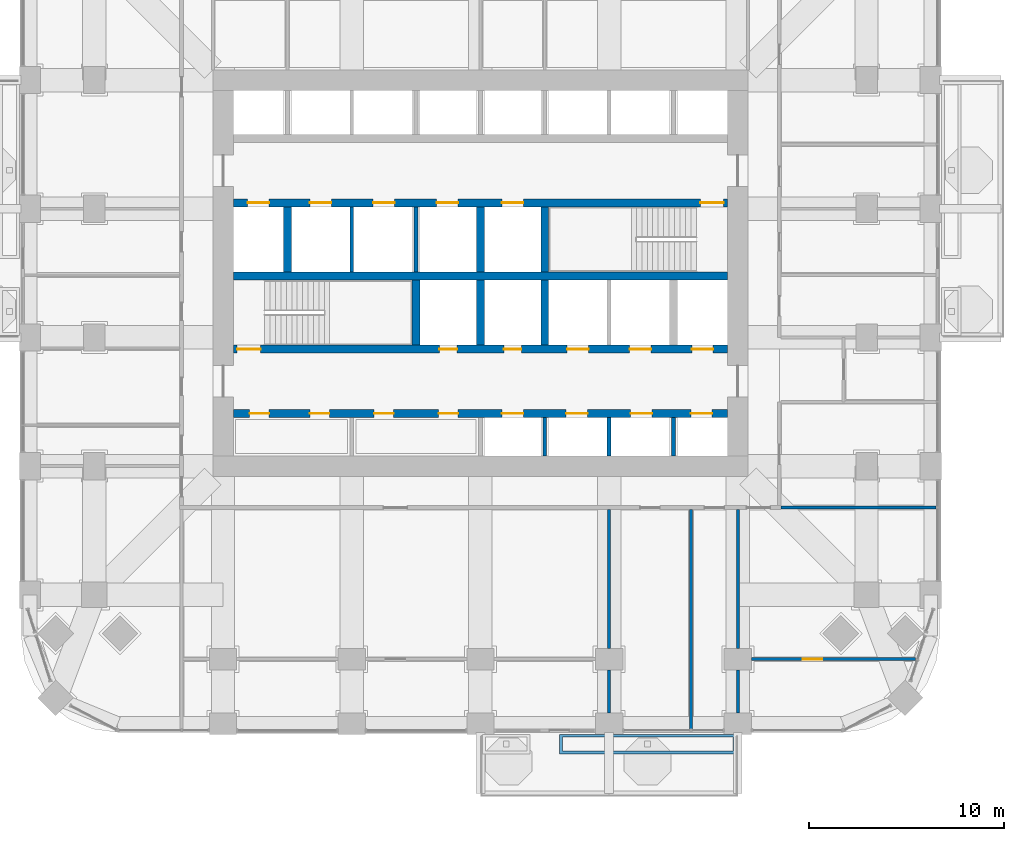
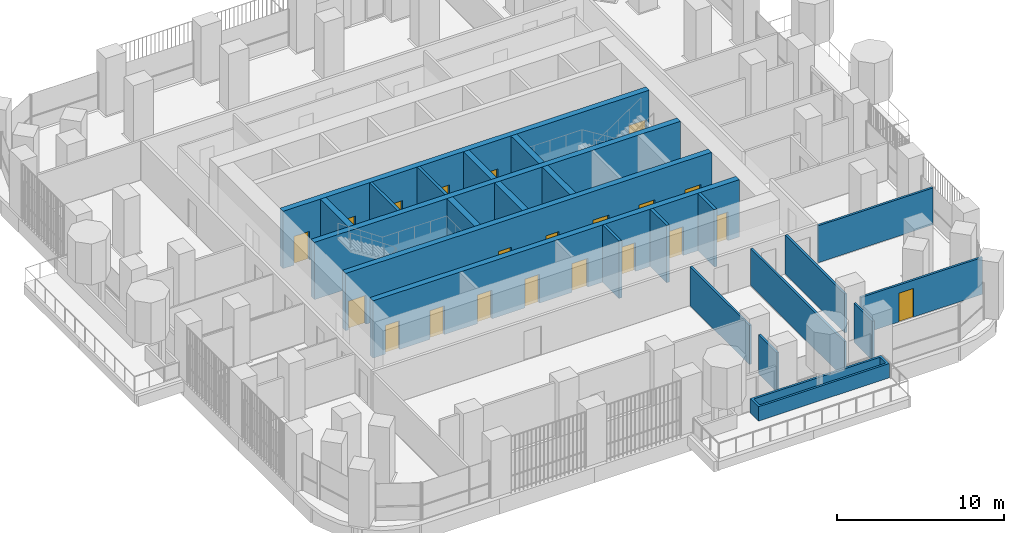
# One storey, part 15 of 22: 23 walls, 21 doors, 21 openings.
"""IFC4 building model written with IfcOpenShell, lengths in metres."""

from ifc_helpers import new_model, si_unit, direction, frame, frame_2d, origin, place, context, subcontext, project, spatial, polyline, rectangle, outline, extrude, material, layer, layer_set, type_object, element, fill, save


model = new_model("IFC4")

# Units and contexts
model_context = context("Model", 3, precision=1e-05, world=origin(), true_north=direction((0.0, 1.0)))
body_context = subcontext(model_context, "Body", "Model", "MODEL_VIEW")
ifc_project = project(units=[si_unit("LENGTHUNIT", "METRE"), si_unit("AREAUNIT", "SQUARE_METRE"), si_unit("VOLUMEUNIT", "CUBIC_METRE"), si_unit("PLANEANGLEUNIT", "RADIAN"), si_unit("MASSUNIT", "GRAM", prefix="KILO")], contexts=[model_context])

# Site, building, storey
site_placement = place(None, origin())
site = spatial("IfcSite", under=ifc_project, at=site_placement, CompositionType="ELEMENT")
building_placement = place(site_placement, origin())
building = spatial("IfcBuilding", under=site, at=building_placement, Name="Cobogo Forest Laboratory Tower", CompositionType="ELEMENT")
storey_placement = place(building_placement, frame((0.0, 0.0, 120.0)))
storey = spatial("IfcBuildingStorey", under=building, at=storey_placement, Name="L27", CompositionType="ELEMENT", Elevation=120.0)

# Wall, openings, doors
ifc_material_1 = material(Name="Concrete HA-50 (C50/60)", Category="concrete")
ifc_layer_1 = layer(ifc_material_1, 0.39990234375)
ifc_layer_set_1 = layer_set([ifc_layer_1], Name="CI400 core inner wall 400")
wall_type_1 = type_object("IfcWallType", Name="CI400 core inner wall 400", PredefinedType="SHEAR", material=ifc_layer_set_1)
wall_1_placement = place(storey_placement, frame((13.72509765625, 15.89990234375, 0.0), z_axis=(0.0, 0.0, 1.0), x_axis=(1.0, 0.0, 0.0)))
wall_1 = element("IfcWall", 1, at=wall_1_placement, inside=storey, type_object=wall_type_1, Name="Core wall CI-15.9 L27", PredefinedType="SHEAR", context=body_context, shape_type="SweptSolid", body=[
    extrude(rectangle(XDim=25.349853515625, YDim=0.39990234375, at=frame_2d((12.6748046875, 0.0))), origin(), (0.0, 0.0, 1.0), 4.199951171875),
])
opening_1_placement = place(wall_1_placement, frame((0.83740234375, 0.0, 0.0)))
opening_1 = element("IfcOpeningElement", 2, at=opening_1_placement, cuts=wall_1, Name="Opening L27-D11", PredefinedType="OPENING", context=body_context, shape_type="SweptSolid", body=[
    extrude(rectangle(XDim=1.0, YDim=2.10009765625, at=frame_2d((0.5, 1.050048828125))), frame((0.0, 0.2099609375, 0.0), z_axis=(0.0, -1.0, 0.0), x_axis=(1.0, 0.0, 0.0)), (0.0, 0.0, 1.0), 0.419921875),
])
opening_2_placement = place(wall_1_placement, frame((3.925048828125, 0.0, 0.0)))
opening_2 = element("IfcOpeningElement", 3, at=opening_2_placement, cuts=wall_1, Name="Opening L27-D12", PredefinedType="OPENING", context=body_context, shape_type="SweptSolid", body=[
    extrude(rectangle(XDim=1.0, YDim=2.10009765625, at=frame_2d((0.5, 1.050048828125))), frame((0.0, 0.2099609375, 0.0), z_axis=(0.0, -1.0, 0.0), x_axis=(1.0, 0.0, 0.0)), (0.0, 0.0, 1.0), 0.419921875),
])
opening_3_placement = place(wall_1_placement, frame((7.22509765625, 0.0, 0.0)))
opening_3 = element("IfcOpeningElement", 4, at=opening_3_placement, cuts=wall_1, Name="Opening L27-D13", PredefinedType="OPENING", context=body_context, shape_type="SweptSolid", body=[
    extrude(rectangle(XDim=1.0, YDim=2.10009765625, at=frame_2d((0.5, 1.050048828125))), frame((0.0, 0.2099609375, 0.0), z_axis=(0.0, -1.0, 0.0), x_axis=(1.0, 0.0, 0.0)), (0.0, 0.0, 1.0), 0.419921875),
])
opening_4_placement = place(wall_1_placement, frame((10.52490234375, 0.0, 0.0)))
opening_4 = element("IfcOpeningElement", 5, at=opening_4_placement, cuts=wall_1, Name="Opening L27-D14", PredefinedType="OPENING", context=body_context, shape_type="SweptSolid", body=[
    extrude(rectangle(XDim=1.0, YDim=2.10009765625, at=frame_2d((0.5, 1.050048828125))), frame((0.0, 0.2099609375, 0.0), z_axis=(0.0, -1.0, 0.0), x_axis=(1.0, 0.0, 0.0)), (0.0, 0.0, 1.0), 0.419921875),
])
opening_5_placement = place(wall_1_placement, frame((13.77490234375, 0.0, 0.0)))
opening_5 = element("IfcOpeningElement", 6, at=opening_5_placement, cuts=wall_1, Name="Opening L27-LD-LB1", PredefinedType="OPENING", context=body_context, shape_type="SweptSolid", body=[
    extrude(rectangle(XDim=1.10009765625, YDim=2.10009765625, at=frame_2d((0.550048828125, 1.050048828125))), frame((0.0, 0.2099609375, 0.0), z_axis=(0.0, -1.0, 0.0), x_axis=(1.0, 0.0, 0.0)), (0.0, 0.0, 1.0), 0.419921875),
])
opening_6_placement = place(wall_1_placement, frame((17.074951171875, 0.0, 0.0)))
opening_6 = element("IfcOpeningElement", 7, at=opening_6_placement, cuts=wall_1, Name="Opening L27-LD-LB2", PredefinedType="OPENING", context=body_context, shape_type="SweptSolid", body=[
    extrude(rectangle(XDim=1.10009765625, YDim=2.10009765625, at=frame_2d((0.550048828125, 1.050048828125))), frame((0.0, 0.2099609375, 0.0), z_axis=(0.0, -1.0, 0.0), x_axis=(1.0, 0.0, 0.0)), (0.0, 0.0, 1.0), 0.419921875),
])
opening_7_placement = place(wall_1_placement, frame((20.375, 0.0, 0.0)))
opening_7 = element("IfcOpeningElement", 8, at=opening_7_placement, cuts=wall_1, Name="Opening L27-LD-LB3", PredefinedType="OPENING", context=body_context, shape_type="SweptSolid", body=[
    extrude(rectangle(XDim=1.10009765625, YDim=2.10009765625, at=frame_2d((0.550048828125, 1.050048828125))), frame((0.0, 0.2099609375, 0.0), z_axis=(0.0, -1.0, 0.0), x_axis=(1.0, 0.0, 0.0)), (0.0, 0.0, 1.0), 0.419921875),
])
opening_8_placement = place(wall_1_placement, frame((23.46240234375, 0.0, 0.0)))
opening_8 = element("IfcOpeningElement", 9, at=opening_8_placement, cuts=wall_1, Name="Opening L27-LD-LB4", PredefinedType="OPENING", context=body_context, shape_type="SweptSolid", body=[
    extrude(rectangle(XDim=1.10009765625, YDim=2.10009765625, at=frame_2d((0.550048828125, 1.050048828125))), frame((0.0, 0.2099609375, 0.0), z_axis=(0.0, -1.0, 0.0), x_axis=(1.0, 0.0, 0.0)), (0.0, 0.0, 1.0), 0.419921875),
])
ifc_material_2 = material(Name="Steel fire door", Category="steel")
door_type_1 = type_object("IfcDoorType", Name="FD1 fire door 1000 EI2 60", OperationType="SINGLE_SWING_LEFT", PredefinedType="DOOR", material=ifc_material_2)
door_1_placement = place(opening_1_placement, origin())
door_1 = element("IfcDoor", 10, at=door_1_placement, inside=storey, type_object=door_type_1, Name="Door L27-SH-LA1", OperationType="SINGLE_SWING_LEFT", OverallHeight=2.10009765625, OverallWidth=1.0, PredefinedType="DOOR", context=body_context, shape_type="SweptSolid", body=[
    extrude(rectangle(XDim=1.0, YDim=2.10009765625, at=frame_2d((0.5, 1.050048828125))), frame((0.0, 0.02490234375, 0.0), z_axis=(0.0, -1.0, 0.0), x_axis=(1.0, 0.0, 0.0)), (0.0, 0.0, 1.0), 0.050048828125),
])
fill(opening_1, door_1)
door_2_placement = place(opening_2_placement, origin())
door_2 = element("IfcDoor", 11, at=door_2_placement, inside=storey, type_object=door_type_1, Name="Door L27-SH-LA2", OperationType="SINGLE_SWING_LEFT", OverallHeight=2.10009765625, OverallWidth=1.0, PredefinedType="DOOR", context=body_context, shape_type="SweptSolid", body=[
    extrude(rectangle(XDim=1.0, YDim=2.10009765625, at=frame_2d((0.5, 1.050048828125))), frame((0.0, 0.02490234375, 0.0), z_axis=(0.0, -1.0, 0.0), x_axis=(1.0, 0.0, 0.0)), (0.0, 0.0, 1.0), 0.050048828125),
])
fill(opening_2, door_2)
door_3_placement = place(opening_3_placement, origin())
door_3 = element("IfcDoor", 12, at=door_3_placement, inside=storey, type_object=door_type_1, Name="Door L27-SH-LA3", OperationType="SINGLE_SWING_LEFT", OverallHeight=2.10009765625, OverallWidth=1.0, PredefinedType="DOOR", context=body_context, shape_type="SweptSolid", body=[
    extrude(rectangle(XDim=1.0, YDim=2.10009765625, at=frame_2d((0.5, 1.050048828125))), frame((0.0, 0.02490234375, 0.0), z_axis=(0.0, -1.0, 0.0), x_axis=(1.0, 0.0, 0.0)), (0.0, 0.0, 1.0), 0.050048828125),
])
fill(opening_3, door_3)
door_4_placement = place(opening_4_placement, origin())
door_4 = element("IfcDoor", 13, at=door_4_placement, inside=storey, type_object=door_type_1, Name="Door L27-SH-LA4", OperationType="SINGLE_SWING_LEFT", OverallHeight=2.10009765625, OverallWidth=1.0, PredefinedType="DOOR", context=body_context, shape_type="SweptSolid", body=[
    extrude(rectangle(XDim=1.0, YDim=2.10009765625, at=frame_2d((0.5, 1.050048828125))), frame((0.0, 0.02490234375, 0.0), z_axis=(0.0, -1.0, 0.0), x_axis=(1.0, 0.0, 0.0)), (0.0, 0.0, 1.0), 0.050048828125),
])
fill(opening_4, door_4)
ifc_material_3 = material(Name="Stainless steel lift door", Category="steel")
door_type_2 = type_object("IfcDoorType", Name="LD lift landing door 1100", OperationType="DOUBLE_DOOR_SLIDING", PredefinedType="DOOR", material=ifc_material_3)
door_5_placement = place(opening_5_placement, origin())
door_5 = element("IfcDoor", 14, at=door_5_placement, inside=storey, type_object=door_type_2, Name="Lift landing door LB1 L27", OperationType="DOUBLE_DOOR_SLIDING", OverallHeight=2.10009765625, OverallWidth=1.10009765625, PredefinedType="DOOR", context=body_context, shape_type="SweptSolid", body=[
    extrude(rectangle(XDim=1.10009765625, YDim=2.10009765625, at=frame_2d((0.550048828125, 1.050048828125))), frame((0.0, 0.02490234375, 0.0), z_axis=(0.0, -1.0, 0.0), x_axis=(1.0, 0.0, 0.0)), (0.0, 0.0, 1.0), 0.050048828125),
])
fill(opening_5, door_5)
door_6_placement = place(opening_6_placement, origin())
door_6 = element("IfcDoor", 15, at=door_6_placement, inside=storey, type_object=door_type_2, Name="Lift landing door LB2 L27", OperationType="DOUBLE_DOOR_SLIDING", OverallHeight=2.10009765625, OverallWidth=1.10009765625, PredefinedType="DOOR", context=body_context, shape_type="SweptSolid", body=[
    extrude(rectangle(XDim=1.10009765625, YDim=2.10009765625, at=frame_2d((0.550048828125, 1.050048828125))), frame((0.0, 0.02490234375, 0.0), z_axis=(0.0, -1.0, 0.0), x_axis=(1.0, 0.0, 0.0)), (0.0, 0.0, 1.0), 0.050048828125),
])
fill(opening_6, door_6)
door_7_placement = place(opening_7_placement, origin())
door_7 = element("IfcDoor", 16, at=door_7_placement, inside=storey, type_object=door_type_2, Name="Lift landing door LB3 L27", OperationType="DOUBLE_DOOR_SLIDING", OverallHeight=2.10009765625, OverallWidth=1.10009765625, PredefinedType="DOOR", context=body_context, shape_type="SweptSolid", body=[
    extrude(rectangle(XDim=1.10009765625, YDim=2.10009765625, at=frame_2d((0.550048828125, 1.050048828125))), frame((0.0, 0.02490234375, 0.0), z_axis=(0.0, -1.0, 0.0), x_axis=(1.0, 0.0, 0.0)), (0.0, 0.0, 1.0), 0.050048828125),
])
fill(opening_7, door_7)
door_8_placement = place(opening_8_placement, origin())
door_8 = element("IfcDoor", 17, at=door_8_placement, inside=storey, type_object=door_type_2, Name="Lift landing door LB4 L27", OperationType="DOUBLE_DOOR_SLIDING", OverallHeight=2.10009765625, OverallWidth=1.10009765625, PredefinedType="DOOR", context=body_context, shape_type="SweptSolid", body=[
    extrude(rectangle(XDim=1.10009765625, YDim=2.10009765625, at=frame_2d((0.550048828125, 1.050048828125))), frame((0.0, 0.02490234375, 0.0), z_axis=(0.0, -1.0, 0.0), x_axis=(1.0, 0.0, 0.0)), (0.0, 0.0, 1.0), 0.050048828125),
])
fill(opening_8, door_8)

wall_2_placement = place(storey_placement, frame((13.72509765625, 19.199951171875, 0.0), z_axis=(0.0, 0.0, 1.0), x_axis=(1.0, 0.0, 0.0)))
wall_2 = element("IfcWall", 18, at=wall_2_placement, inside=storey, type_object=wall_type_1, Name="Core wall CI-19.2 L27", PredefinedType="SHEAR", context=body_context, shape_type="SweptSolid", body=[
    extrude(rectangle(XDim=25.349853515625, YDim=0.39990234375, at=frame_2d((12.6748046875, 0.0))), origin(), (0.0, 0.0, 1.0), 4.199951171875),
])
opening_9_placement = place(wall_2_placement, frame((10.574951171875, 0.0, 0.0)))
opening_9 = element("IfcOpeningElement", 19, at=opening_9_placement, cuts=wall_2, Name="Opening L27-D20", PredefinedType="OPENING", context=body_context, shape_type="SweptSolid", body=[
    extrude(rectangle(XDim=0.89990234375, YDim=2.10009765625, at=frame_2d((0.449951171875, 1.050048828125))), frame((0.0, 0.2099609375, 0.0), z_axis=(0.0, -1.0, 0.0), x_axis=(1.0, 0.0, 0.0)), (0.0, 0.0, 1.0), 0.419921875),
])
opening_10_placement = place(wall_2_placement, frame((13.875, 0.0, 0.0)))
opening_10 = element("IfcOpeningElement", 20, at=opening_10_placement, cuts=wall_2, Name="Opening L27-D21", PredefinedType="OPENING", context=body_context, shape_type="SweptSolid", body=[
    extrude(rectangle(XDim=0.89990234375, YDim=2.10009765625, at=frame_2d((0.449951171875, 1.050048828125))), frame((0.0, 0.2099609375, 0.0), z_axis=(0.0, -1.0, 0.0), x_axis=(1.0, 0.0, 0.0)), (0.0, 0.0, 1.0), 0.419921875),
])
opening_11_placement = place(wall_2_placement, frame((0.199951171875, 0.0, 0.0)))
opening_11 = element("IfcOpeningElement", 21, at=opening_11_placement, cuts=wall_2, Name="Opening L27-D19", PredefinedType="OPENING", context=body_context, shape_type="SweptSolid", body=[
    extrude(rectangle(XDim=1.199951171875, YDim=2.10009765625, at=frame_2d((0.60009765625, 1.050048828125))), frame((0.0, 0.2099609375, 0.0), z_axis=(0.0, -1.0, 0.0), x_axis=(1.0, 0.0, 0.0)), (0.0, 0.0, 1.0), 0.419921875),
])
opening_12_placement = place(wall_2_placement, frame((23.512451171875, 0.0, 0.0)))
opening_12 = element("IfcOpeningElement", 22, at=opening_12_placement, cuts=wall_2, Name="Opening L27-LD-FL2", PredefinedType="OPENING", context=body_context, shape_type="SweptSolid", body=[
    extrude(rectangle(XDim=1.10009765625, YDim=2.10009765625, at=frame_2d((0.550048828125, 1.050048828125))), frame((0.0, 0.2099609375, 0.0), z_axis=(0.0, -1.0, 0.0), x_axis=(1.0, 0.0, 0.0)), (0.0, 0.0, 1.0), 0.419921875),
])
opening_13_placement = place(wall_2_placement, frame((17.125, 0.0, 0.0)))
opening_13 = element("IfcOpeningElement", 23, at=opening_13_placement, cuts=wall_2, Name="Opening L27-LD-LS1", PredefinedType="OPENING", context=body_context, shape_type="SweptSolid", body=[
    extrude(rectangle(XDim=1.10009765625, YDim=2.10009765625, at=frame_2d((0.550048828125, 1.050048828125))), frame((0.0, 0.2099609375, 0.0), z_axis=(0.0, -1.0, 0.0), x_axis=(1.0, 0.0, 0.0)), (0.0, 0.0, 1.0), 0.419921875),
])
opening_14_placement = place(wall_2_placement, frame((20.324951171875, 0.0, 0.0)))
opening_14 = element("IfcOpeningElement", 24, at=opening_14_placement, cuts=wall_2, Name="Opening L27-LD-LS2", PredefinedType="OPENING", context=body_context, shape_type="SweptSolid", body=[
    extrude(rectangle(XDim=1.10009765625, YDim=2.10009765625, at=frame_2d((0.550048828125, 1.050048828125))), frame((0.0, 0.2099609375, 0.0), z_axis=(0.0, -1.0, 0.0), x_axis=(1.0, 0.0, 0.0)), (0.0, 0.0, 1.0), 0.419921875),
])
door_type_3 = type_object("IfcDoorType", Name="DS1 protected stair door 1200 EI2 60", OperationType="SINGLE_SWING_LEFT", PredefinedType="DOOR", material=ifc_material_2)
door_9_placement = place(opening_11_placement, origin())
door_9 = element("IfcDoor", 25, at=door_9_placement, inside=storey, type_object=door_type_3, Name="Door L27-ST1", OperationType="SINGLE_SWING_LEFT", OverallHeight=2.10009765625, OverallWidth=1.199951171875, PredefinedType="DOOR", context=body_context, shape_type="SweptSolid", body=[
    extrude(rectangle(XDim=1.199951171875, YDim=2.10009765625, at=frame_2d((0.60009765625, 1.050048828125))), frame((0.0, 0.02490234375, 0.0), z_axis=(0.0, -1.0, 0.0), x_axis=(1.0, 0.0, 0.0)), (0.0, 0.0, 1.0), 0.050048828125),
])
fill(opening_11, door_9)
door_type_4 = type_object("IfcDoorType", Name="FD4 riser access door 900 EI2 60", OperationType="SINGLE_SWING_LEFT", PredefinedType="DOOR", material=ifc_material_2)
door_10_placement = place(opening_9_placement, origin())
door_10 = element("IfcDoor", 26, at=door_10_placement, inside=storey, type_object=door_type_4, Name="Door L27-R1", OperationType="SINGLE_SWING_LEFT", OverallHeight=2.10009765625, OverallWidth=0.89990234375, PredefinedType="DOOR", context=body_context, shape_type="SweptSolid", body=[
    extrude(rectangle(XDim=0.89990234375, YDim=2.10009765625, at=frame_2d((0.449951171875, 1.050048828125))), frame((0.0, 0.02490234375, 0.0), z_axis=(0.0, -1.0, 0.0), x_axis=(1.0, 0.0, 0.0)), (0.0, 0.0, 1.0), 0.050048828125),
])
fill(opening_9, door_10)
door_11_placement = place(opening_10_placement, origin())
door_11 = element("IfcDoor", 27, at=door_11_placement, inside=storey, type_object=door_type_4, Name="Door L27-R2", OperationType="SINGLE_SWING_RIGHT", OverallHeight=2.10009765625, OverallWidth=0.89990234375, PredefinedType="DOOR", context=body_context, shape_type="SweptSolid", body=[
    extrude(rectangle(XDim=0.89990234375, YDim=2.10009765625, at=frame_2d((0.449951171875, 1.050048828125))), frame((0.0, 0.02490234375, 0.0), z_axis=(0.0, -1.0, 0.0), x_axis=(1.0, 0.0, 0.0)), (0.0, 0.0, 1.0), 0.050048828125),
])
fill(opening_10, door_11)
door_12_placement = place(opening_12_placement, origin())
door_12 = element("IfcDoor", 28, at=door_12_placement, inside=storey, type_object=door_type_2, Name="Lift landing door FL2 L27", OperationType="DOUBLE_DOOR_SLIDING", OverallHeight=2.10009765625, OverallWidth=1.10009765625, PredefinedType="DOOR", context=body_context, shape_type="SweptSolid", body=[
    extrude(rectangle(XDim=1.10009765625, YDim=2.10009765625, at=frame_2d((0.550048828125, 1.050048828125))), frame((0.0, 0.02490234375, 0.0), z_axis=(0.0, -1.0, 0.0), x_axis=(1.0, 0.0, 0.0)), (0.0, 0.0, 1.0), 0.050048828125),
])
fill(opening_12, door_12)
door_13_placement = place(opening_13_placement, origin())
door_13 = element("IfcDoor", 29, at=door_13_placement, inside=storey, type_object=door_type_2, Name="Lift landing door LS1 L27", OperationType="DOUBLE_DOOR_SLIDING", OverallHeight=2.10009765625, OverallWidth=1.10009765625, PredefinedType="DOOR", context=body_context, shape_type="SweptSolid", body=[
    extrude(rectangle(XDim=1.10009765625, YDim=2.10009765625, at=frame_2d((0.550048828125, 1.050048828125))), frame((0.0, 0.02490234375, 0.0), z_axis=(0.0, -1.0, 0.0), x_axis=(1.0, 0.0, 0.0)), (0.0, 0.0, 1.0), 0.050048828125),
])
fill(opening_13, door_13)
door_14_placement = place(opening_14_placement, origin())
door_14 = element("IfcDoor", 30, at=door_14_placement, inside=storey, type_object=door_type_2, Name="Lift landing door LS2 L27", OperationType="DOUBLE_DOOR_SLIDING", OverallHeight=2.10009765625, OverallWidth=1.10009765625, PredefinedType="DOOR", context=body_context, shape_type="SweptSolid", body=[
    extrude(rectangle(XDim=1.10009765625, YDim=2.10009765625, at=frame_2d((0.550048828125, 1.050048828125))), frame((0.0, 0.02490234375, 0.0), z_axis=(0.0, -1.0, 0.0), x_axis=(1.0, 0.0, 0.0)), (0.0, 0.0, 1.0), 0.050048828125),
])
fill(opening_14, door_14)

# Wall
wall_3_placement = place(storey_placement, frame((13.72509765625, 22.949951171875, 0.0), z_axis=(0.0, 0.0, 1.0), x_axis=(1.0, 0.0, 0.0)))
element("IfcWall", 31, at=wall_3_placement, inside=storey, type_object=wall_type_1, Name="Core wall CI-22.95 L27", PredefinedType="SHEAR", context=body_context, shape_type="SweptSolid", body=[
    extrude(rectangle(XDim=25.349853515625, YDim=0.39990234375, at=frame_2d((12.6748046875, 0.0))), origin(), (0.0, 0.0, 1.0), 4.199951171875),
])

# Wall, openings, doors
wall_4_placement = place(storey_placement, frame((13.72509765625, 26.699951171875, 0.0), z_axis=(0.0, 0.0, 1.0), x_axis=(1.0, 0.0, 0.0)))
wall_4 = element("IfcWall", 32, at=wall_4_placement, inside=storey, type_object=wall_type_1, Name="Core wall CI-26.7 L27", PredefinedType="SHEAR", context=body_context, shape_type="SweptSolid", body=[
    extrude(rectangle(XDim=25.349853515625, YDim=0.39990234375, at=frame_2d((12.6748046875, 0.0))), origin(), (0.0, 0.0, 1.0), 4.199951171875),
])
opening_15_placement = place(wall_4_placement, frame((23.949951171875, 0.0, 0.0)))
opening_15 = element("IfcOpeningElement", 33, at=opening_15_placement, cuts=wall_4, Name="Opening L27-D28", PredefinedType="OPENING", context=body_context, shape_type="SweptSolid", body=[
    extrude(rectangle(XDim=1.199951171875, YDim=2.10009765625, at=frame_2d((0.60009765625, 1.050048828125))), frame((0.0, 0.2099609375, 0.0), z_axis=(0.0, -1.0, 0.0), x_axis=(1.0, 0.0, 0.0)), (0.0, 0.0, 1.0), 0.419921875),
])
opening_16_placement = place(wall_4_placement, frame((0.737548828125, 0.0, 0.0)))
opening_16 = element("IfcOpeningElement", 34, at=opening_16_placement, cuts=wall_4, Name="Opening L27-LD-FL1", PredefinedType="OPENING", context=body_context, shape_type="SweptSolid", body=[
    extrude(rectangle(XDim=1.10009765625, YDim=2.10009765625, at=frame_2d((0.550048828125, 1.050048828125))), frame((0.0, 0.2099609375, 0.0), z_axis=(0.0, -1.0, 0.0), x_axis=(1.0, 0.0, 0.0)), (0.0, 0.0, 1.0), 0.419921875),
])
opening_17_placement = place(wall_4_placement, frame((3.925048828125, 0.0, 0.0)))
opening_17 = element("IfcOpeningElement", 35, at=opening_17_placement, cuts=wall_4, Name="Opening L27-LD-LS3", PredefinedType="OPENING", context=body_context, shape_type="SweptSolid", body=[
    extrude(rectangle(XDim=1.10009765625, YDim=2.10009765625, at=frame_2d((0.550048828125, 1.050048828125))), frame((0.0, 0.2099609375, 0.0), z_axis=(0.0, -1.0, 0.0), x_axis=(1.0, 0.0, 0.0)), (0.0, 0.0, 1.0), 0.419921875),
])
opening_18_placement = place(wall_4_placement, frame((7.175048828125, 0.0, 0.0)))
opening_18 = element("IfcOpeningElement", 36, at=opening_18_placement, cuts=wall_4, Name="Opening L27-LD-LS4", PredefinedType="OPENING", context=body_context, shape_type="SweptSolid", body=[
    extrude(rectangle(XDim=1.10009765625, YDim=2.10009765625, at=frame_2d((0.550048828125, 1.050048828125))), frame((0.0, 0.2099609375, 0.0), z_axis=(0.0, -1.0, 0.0), x_axis=(1.0, 0.0, 0.0)), (0.0, 0.0, 1.0), 0.419921875),
])
opening_19_placement = place(wall_4_placement, frame((10.425048828125, 0.0, 0.0)))
opening_19 = element("IfcOpeningElement", 37, at=opening_19_placement, cuts=wall_4, Name="Opening L27-LD-LS5", PredefinedType="OPENING", context=body_context, shape_type="SweptSolid", body=[
    extrude(rectangle(XDim=1.10009765625, YDim=2.10009765625, at=frame_2d((0.550048828125, 1.050048828125))), frame((0.0, 0.2099609375, 0.0), z_axis=(0.0, -1.0, 0.0), x_axis=(1.0, 0.0, 0.0)), (0.0, 0.0, 1.0), 0.419921875),
])
opening_20_placement = place(wall_4_placement, frame((13.77490234375, 0.0, 0.0)))
opening_20 = element("IfcOpeningElement", 38, at=opening_20_placement, cuts=wall_4, Name="Opening L27-LD-LS6", PredefinedType="OPENING", context=body_context, shape_type="SweptSolid", body=[
    extrude(rectangle(XDim=1.10009765625, YDim=2.10009765625, at=frame_2d((0.550048828125, 1.050048828125))), frame((0.0, 0.2099609375, 0.0), z_axis=(0.0, -1.0, 0.0), x_axis=(1.0, 0.0, 0.0)), (0.0, 0.0, 1.0), 0.419921875),
])
door_15_placement = place(opening_15_placement, origin())
door_15 = element("IfcDoor", 39, at=door_15_placement, inside=storey, type_object=door_type_3, Name="Door L27-ST2", OperationType="SINGLE_SWING_RIGHT", OverallHeight=2.10009765625, OverallWidth=1.199951171875, PredefinedType="DOOR", context=body_context, shape_type="SweptSolid", body=[
    extrude(rectangle(XDim=1.199951171875, YDim=2.10009765625, at=frame_2d((0.60009765625, 1.050048828125))), frame((0.0, 0.02490234375, 0.0), z_axis=(0.0, -1.0, 0.0), x_axis=(1.0, 0.0, 0.0)), (0.0, 0.0, 1.0), 0.050048828125),
])
fill(opening_15, door_15)
door_16_placement = place(opening_16_placement, origin())
door_16 = element("IfcDoor", 40, at=door_16_placement, inside=storey, type_object=door_type_2, Name="Lift landing door FL1 L27", OperationType="DOUBLE_DOOR_SLIDING", OverallHeight=2.10009765625, OverallWidth=1.10009765625, PredefinedType="DOOR", context=body_context, shape_type="SweptSolid", body=[
    extrude(rectangle(XDim=1.10009765625, YDim=2.10009765625, at=frame_2d((0.550048828125, 1.050048828125))), frame((0.0, 0.02490234375, 0.0), z_axis=(0.0, -1.0, 0.0), x_axis=(1.0, 0.0, 0.0)), (0.0, 0.0, 1.0), 0.050048828125),
])
fill(opening_16, door_16)
door_17_placement = place(opening_17_placement, origin())
door_17 = element("IfcDoor", 41, at=door_17_placement, inside=storey, type_object=door_type_2, Name="Lift landing door LS3 L27", OperationType="DOUBLE_DOOR_SLIDING", OverallHeight=2.10009765625, OverallWidth=1.10009765625, PredefinedType="DOOR", context=body_context, shape_type="SweptSolid", body=[
    extrude(rectangle(XDim=1.10009765625, YDim=2.10009765625, at=frame_2d((0.550048828125, 1.050048828125))), frame((0.0, 0.02490234375, 0.0), z_axis=(0.0, -1.0, 0.0), x_axis=(1.0, 0.0, 0.0)), (0.0, 0.0, 1.0), 0.050048828125),
])
fill(opening_17, door_17)
door_18_placement = place(opening_18_placement, origin())
door_18 = element("IfcDoor", 42, at=door_18_placement, inside=storey, type_object=door_type_2, Name="Lift landing door LS4 L27", OperationType="DOUBLE_DOOR_SLIDING", OverallHeight=2.10009765625, OverallWidth=1.10009765625, PredefinedType="DOOR", context=body_context, shape_type="SweptSolid", body=[
    extrude(rectangle(XDim=1.10009765625, YDim=2.10009765625, at=frame_2d((0.550048828125, 1.050048828125))), frame((0.0, 0.02490234375, 0.0), z_axis=(0.0, -1.0, 0.0), x_axis=(1.0, 0.0, 0.0)), (0.0, 0.0, 1.0), 0.050048828125),
])
fill(opening_18, door_18)
door_19_placement = place(opening_19_placement, origin())
door_19 = element("IfcDoor", 43, at=door_19_placement, inside=storey, type_object=door_type_2, Name="Lift landing door LS5 L27", OperationType="DOUBLE_DOOR_SLIDING", OverallHeight=2.10009765625, OverallWidth=1.10009765625, PredefinedType="DOOR", context=body_context, shape_type="SweptSolid", body=[
    extrude(rectangle(XDim=1.10009765625, YDim=2.10009765625, at=frame_2d((0.550048828125, 1.050048828125))), frame((0.0, 0.02490234375, 0.0), z_axis=(0.0, -1.0, 0.0), x_axis=(1.0, 0.0, 0.0)), (0.0, 0.0, 1.0), 0.050048828125),
])
fill(opening_19, door_19)
door_20_placement = place(opening_20_placement, origin())
door_20 = element("IfcDoor", 44, at=door_20_placement, inside=storey, type_object=door_type_2, Name="Lift landing door LS6 L27", OperationType="DOUBLE_DOOR_SLIDING", OverallHeight=2.10009765625, OverallWidth=1.10009765625, PredefinedType="DOOR", context=body_context, shape_type="SweptSolid", body=[
    extrude(rectangle(XDim=1.10009765625, YDim=2.10009765625, at=frame_2d((0.550048828125, 1.050048828125))), frame((0.0, 0.02490234375, 0.0), z_axis=(0.0, -1.0, 0.0), x_axis=(1.0, 0.0, 0.0)), (0.0, 0.0, 1.0), 0.050048828125),
])
fill(opening_20, door_20)

# Walls
for number, where, z_axis, x_axis, name in (
    (45, (23.10009765625, 19.39990234375, 0.0), (0.0, 0.0, 1.0), (0.0, 1.0, 0.0), "Core wall CX-23.1 L27"),
    (46, (26.39990234375, 19.39990234375, 0.0), (0.0, 0.0, 1.0), (0.0, 1.0, 0.0), "Core wall CX-26.4S L27"),
    (47, (29.699951171875, 19.39990234375, 0.0), (0.0, 0.0, 1.0), (0.0, 1.0, 0.0), "Core wall CX-29.7S L27"),
    (48, (16.5, 23.14990234375, 0.0), (0.0, 0.0, 1.0), (0.0, 1.0, 0.0), "Core wall CX-16.5 L27"),
    (49, (26.39990234375, 23.14990234375, 0.0), (0.0, 0.0, 1.0), (0.0, 1.0, 0.0), "Core wall CX-26.4N L27"),
    (50, (29.699951171875, 23.14990234375, 0.0), (0.0, 0.0, 1.0), (0.0, 1.0, 0.0), "Core wall CX-29.7N L27"),
):
    element("IfcWall", number, at=place(storey_placement, frame(where, z_axis=z_axis, x_axis=x_axis)), inside=storey, type_object=wall_type_1, Name=name, PredefinedType="SHEAR", context=body_context, shape_type="SweptSolid", body=[
        extrude(rectangle(XDim=3.35009765625, YDim=0.39990234375, at=frame_2d((1.675048828125, 0.0))), origin(), (0.0, 0.0, 1.0), 4.199951171875),
    ])
ifc_material_4 = material(Name="Gypsum board on steel studs", Category="steel")
ifc_layer_2 = layer(ifc_material_4, 0.14990234375)
ifc_layer_set_2 = layer_set([ifc_layer_2], Name="PT1 laboratory partition 150")
wall_type_2 = type_object("IfcWallType", Name="PT1 laboratory partition 150", PredefinedType="PARTITIONING", material=ifc_layer_set_2)
wall_5_placement = place(storey_placement, frame((49.77001953125, 11.074951171875, 0.0), z_axis=(0.0, 0.0, 1.0), x_axis=(-1.0, 0.0, 0.0)))
element("IfcWall", 51, at=wall_5_placement, inside=storey, type_object=wall_type_2, Name="Partition PW-SE L27", PredefinedType="PARTITIONING", context=body_context, shape_type="SweptSolid", body=[
    extrude(rectangle(XDim=7.945068359375, YDim=0.14990234375, at=frame_2d((3.97265625, 0.0))), origin(), (0.0, 0.0, 1.0), 2.699951171875),
])

# Wall, opening, door
wall_6_placement = place(storey_placement, frame((40.300048828125, 3.300048828125, 0.0), z_axis=(0.0, 0.0, 1.0), x_axis=(1.0, 0.0, 0.0)))
wall_6 = element("IfcWall", 52, at=wall_6_placement, inside=storey, type_object=wall_type_2, Name="Partition STRIP-S-5 L27", PredefinedType="PARTITIONING", context=body_context, shape_type="SweptSolid", body=[
    extrude(rectangle(XDim=8.423828125, YDim=0.14990234375, at=frame_2d((4.2119140625, 0.0))), origin(), (0.0, 0.0, 1.0), 2.699951171875),
])
opening_21_placement = place(wall_6_placement, frame((2.64208984375, 0.0, 0.0)))
opening_21 = element("IfcOpeningElement", 53, at=opening_21_placement, cuts=wall_6, Name="Opening L27-D03", PredefinedType="OPENING", context=body_context, shape_type="SweptSolid", body=[
    extrude(rectangle(XDim=1.0, YDim=2.10009765625, at=frame_2d((0.5, 1.050048828125))), frame((0.0, 0.0849609375, 0.0), z_axis=(0.0, -1.0, 0.0), x_axis=(1.0, 0.0, 0.0)), (0.0, 0.0, 1.0), 0.169921875),
])
ifc_material_5 = material(Name="Timber fire door", Category="wood")
door_type_5 = type_object("IfcDoorType", Name="FD2 fire door 1000 EI2 30", OperationType="SINGLE_SWING_LEFT", PredefinedType="DOOR", material=ifc_material_5)
door_21_placement = place(opening_21_placement, origin())
door_21 = element("IfcDoor", 54, at=door_21_placement, inside=storey, type_object=door_type_5, Name="Door L27-S2W", OperationType="SINGLE_SWING_LEFT", OverallHeight=2.10009765625, OverallWidth=1.0, PredefinedType="DOOR", context=body_context, shape_type="SweptSolid", body=[
    extrude(rectangle(XDim=1.0, YDim=2.10009765625, at=frame_2d((0.5, 1.050048828125))), frame((0.0, 0.02490234375, 0.0), z_axis=(0.0, -1.0, 0.0), x_axis=(1.0, 0.0, 0.0)), (0.0, 0.0, 1.0), 0.050048828125),
])
fill(opening_21, door_21)

# Walls
wall_7_placement = place(storey_placement, frame((37.199951171875, -0.27001953125, 0.0), z_axis=(0.0, 0.0, 1.0), x_axis=(0.0, 1.0, 0.0)))
element("IfcWall", 55, at=wall_7_placement, inside=storey, type_object=wall_type_2, Name="Partition SVC-S1-1 L27", PredefinedType="PARTITIONING", context=body_context, shape_type="SweptSolid", body=[
    extrude(rectangle(XDim=11.2451171875, YDim=0.14990234375, at=frame_2d((5.62255859375, 0.0))), origin(), (0.0, 0.0, 1.0), 2.699951171875),
])
wall_8_placement = place(storey_placement, frame((39.60009765625, 0.550048828125, 0.0), z_axis=(0.0, 0.0, 1.0), x_axis=(0.0, 1.0, 0.0)))
element("IfcWall", 56, at=wall_8_placement, inside=storey, type_object=wall_type_2, Name="Partition SVC-S2-1 L27", PredefinedType="PARTITIONING", context=body_context, shape_type="SweptSolid", body=[
    extrude(rectangle(XDim=2.199951171875, YDim=0.14990234375, at=frame_2d((1.10009765625, 0.0))), origin(), (0.0, 0.0, 1.0), 2.85009765625),
])
wall_9_placement = place(storey_placement, frame((39.60009765625, 3.85009765625, 0.0), z_axis=(0.0, 0.0, 1.0), x_axis=(0.0, 1.0, 0.0)))
element("IfcWall", 57, at=wall_9_placement, inside=storey, type_object=wall_type_2, Name="Partition SVC-S2-2 L27", PredefinedType="PARTITIONING", context=body_context, shape_type="SweptSolid", body=[
    extrude(rectangle(XDim=7.125, YDim=0.14990234375, at=frame_2d((3.5625, 0.0))), origin(), (0.0, 0.0, 1.0), 2.85009765625),
])
wall_10_placement = place(storey_placement, frame((33.0, 0.550048828125, 0.0), z_axis=(0.0, 0.0, 1.0), x_axis=(0.0, 1.0, 0.0)))
element("IfcWall", 58, at=wall_10_placement, inside=storey, type_object=wall_type_2, Name="Partition CUT-S33-1 L27", PredefinedType="PARTITIONING", context=body_context, shape_type="SweptSolid", body=[
    extrude(rectangle(XDim=2.199951171875, YDim=0.14990234375, at=frame_2d((1.10009765625, 0.0))), origin(), (0.0, 0.0, 1.0), 2.85009765625),
])
wall_11_placement = place(storey_placement, frame((33.0, 3.85009765625, 0.0), z_axis=(0.0, 0.0, 1.0), x_axis=(0.0, 1.0, 0.0)))
element("IfcWall", 59, at=wall_11_placement, inside=storey, type_object=wall_type_2, Name="Partition CUT-S33-2 L27", PredefinedType="PARTITIONING", context=body_context, shape_type="SweptSolid", body=[
    extrude(rectangle(XDim=7.125, YDim=0.14990234375, at=frame_2d((3.5625, 0.0))), origin(), (0.0, 0.0, 1.0), 2.85009765625),
])
ifc_material_6 = material(Name="Concrete HA-40 (C40/50)", Category="concrete")
ifc_layer_3 = layer(ifc_material_6, 0.14990234375)
ifc_layer_set_3 = layer_set([ifc_layer_3], Name="Planter box 1000x1050")
wall_type_3 = type_object("IfcWallType", Name="Planter box 1000x1050", PredefinedType="USERDEFINED", material=ifc_layer_set_3)
wall_12_placement = place(storey_placement, origin())
element("IfcWall", 60, at=wall_12_placement, inside=storey, type_object=wall_type_3, Name="Planter BAL-S1-2 L27", ObjectType="PLANTER", PredefinedType="USERDEFINED", context=body_context, shape_type="SweptSolid", body=[
    extrude(outline(polyline([(30.449951171875, -1.550048828125), (39.5, -1.550048828125), (39.5, -0.550048828125), (30.449951171875, -0.550048828125), (30.449951171875, -1.550048828125)]), holes=[polyline([(30.60009765625, -1.39990234375), (39.35009765625, -1.39990234375), (39.35009765625, -0.699951171875), (30.60009765625, -0.699951171875), (30.60009765625, -1.39990234375)])]), origin(), (0.0, 0.0, 1.0), 1.050048828125),
])
ifc_material_7 = material(Name="Concrete block", Category="concrete")
ifc_layer_4 = layer(ifc_material_7, 0.199951171875)
ifc_layer_set_4 = layer_set([ifc_layer_4], Name="SW200 lift shaft separator 200")
wall_type_4 = type_object("IfcWallType", Name="SW200 lift shaft separator 200", PredefinedType="PARTITIONING", material=ifc_layer_set_4)
for number, where, z_axis, x_axis, name in (
    (61, (29.699951171875, 13.72509765625, 0.0), (0.0, 0.0, 1.0), (0.0, 1.0, 0.0), "Core wall SEP-S5 L27"),
    (62, (33.0, 13.72509765625, 0.0), (0.0, 0.0, 1.0), (0.0, 1.0, 0.0), "Core wall SEP-S6 L27"),
    (63, (36.300048828125, 13.72509765625, 0.0), (0.0, 0.0, 1.0), (0.0, 1.0, 0.0), "Core wall SEP-S7 L27"),
):
    element("IfcWall", number, at=place(storey_placement, frame(where, z_axis=z_axis, x_axis=x_axis)), inside=storey, type_object=wall_type_4, Name=name, PredefinedType="PARTITIONING", context=body_context, shape_type="SweptSolid", body=[
        extrude(rectangle(XDim=1.974853515625, YDim=0.199951171875, at=frame_2d((0.9873046875, 0.0))), origin(), (0.0, 0.0, 1.0), 4.199951171875),
    ])
for number, where, z_axis, x_axis, name in (
    (64, (19.800048828125, 23.14990234375, 0.0), (0.0, 0.0, 1.0), (0.0, 1.0, 0.0), "Core wall SEP-M19.8 L27"),
    (65, (23.10009765625, 23.14990234375, 0.0), (0.0, 0.0, 1.0), (0.0, 1.0, 0.0), "Core wall SEP-M23.1 L27"),
):
    element("IfcWall", number, at=place(storey_placement, frame(where, z_axis=z_axis, x_axis=x_axis)), inside=storey, type_object=wall_type_4, Name=name, PredefinedType="PARTITIONING", context=body_context, shape_type="SweptSolid", body=[
        extrude(rectangle(XDim=3.35009765625, YDim=0.199951171875, at=frame_2d((1.675048828125, 0.0))), origin(), (0.0, 0.0, 1.0), 4.199951171875),
    ])

save(model, "model.ifc")
